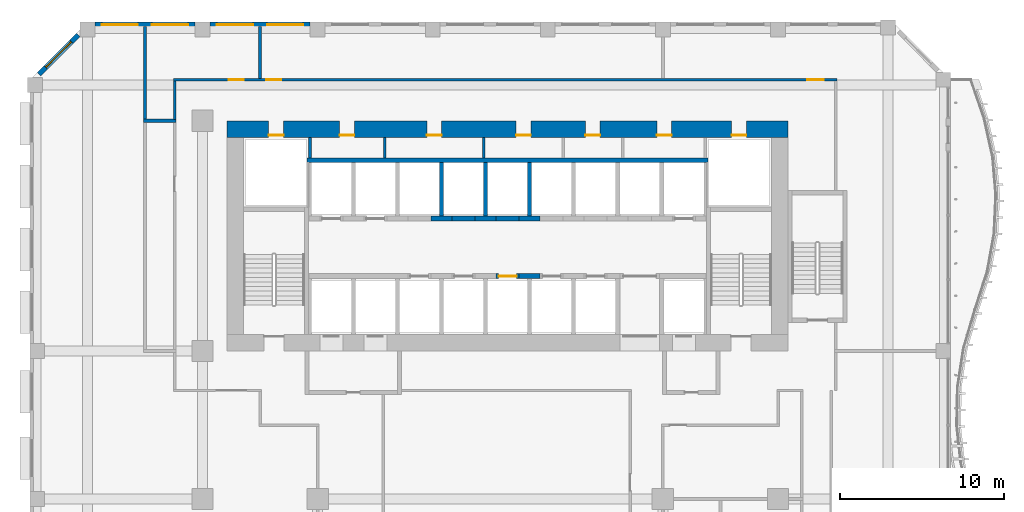
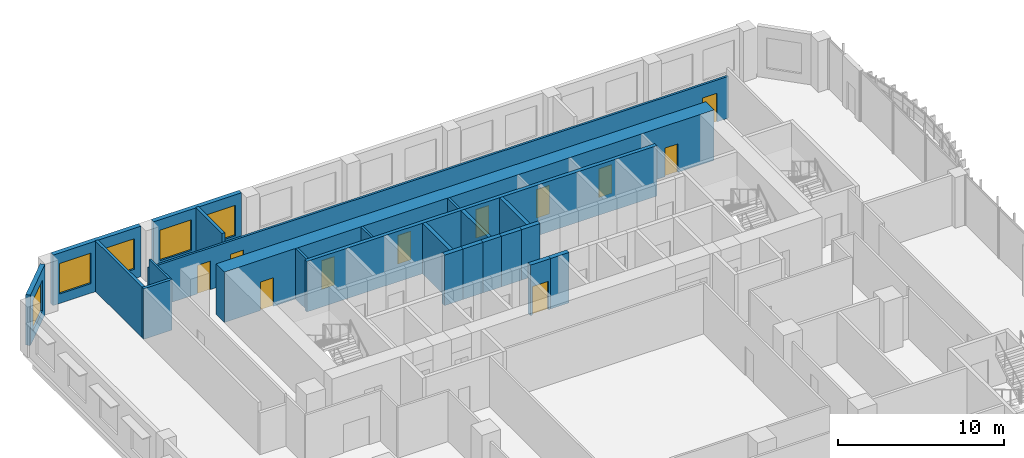
# One storey, part 13 of 24: 23 walls, 11 doors, 5 windows, 16 openings.
"""IFC4 building model written with IfcOpenShell, lengths in metres."""

import ifcopenshell
import ifcopenshell.guid

model = None  # the IFC model being written
_history = None  # IfcOwnerHistory: only IFC2X3 demands one
_inside = {}  # id of a spatial element -> (the spatial element, [elements in it])
_under = {}  # id of a project, library or spatial element -> (it, [spatial elements below it])
_declared = {}  # id of a project -> (the project, [libraries it declares])
_typed = {}  # id of a type object -> (the type object, [elements of that type])
_made_of = {}  # id of a material, layer set ... -> (it, [elements and type objects made of it])


def new_model(schema):
    """Start an empty IFC model of exactly this schema.

    Asked for "IFC4X3", IfcOpenShell would pick the latest addendum, in which some entities
    have other attributes; the version numbers below select the first issue.
    IFC2X3 requires an IfcOwnerHistory on every rooted entity: one is made here for all.
    """
    global model, _history
    if schema == "IFC4X3":
        model = ifcopenshell.file(schema_version=(4, 3, 0, 0))
    else:
        model = ifcopenshell.file(schema=schema)
    _inside.clear()
    _under.clear()
    _declared.clear()
    _typed.clear()
    _made_of.clear()
    _history = None
    if model.schema == "IFC2X3":
        org = make("IfcOrganization", Name="unknown")
        user = make(
            "IfcPersonAndOrganization",
            ThePerson=make("IfcPerson", FamilyName="unknown"),
            TheOrganization=org,
        )
        app = make(
            "IfcApplication",
            ApplicationDeveloper=org,
            Version="unknown",
            ApplicationFullName="unknown",
            ApplicationIdentifier="unknown",
        )
        _history = make(
            "IfcOwnerHistory",
            OwningUser=user,
            OwningApplication=app,
            ChangeAction="ADDED",
            CreationDate=0,
        )
    return model


def make(cls, **values):
    """One entity of the class cls with the attributes given. An attribute that is None is left unset."""
    return model.create_entity(
        cls, **{name: value for name, value in values.items() if value is not None}
    )


def rooted(cls, **values):
    """An entity with a GlobalId (a new one), such as an element, a storey or a relation."""
    return make(cls, GlobalId=ifcopenshell.guid.new(), OwnerHistory=_history, **values)


def si_unit(unit_type, name, prefix=None):
    """IfcSIUnit, for example si_unit("LENGTHUNIT", "METRE", prefix="MILLI")."""
    return make("IfcSIUnit", UnitType=unit_type, Prefix=prefix, Name=name)


def assignment(units):
    """IfcUnitAssignment: the units of a project."""
    return None if units is None else make("IfcUnitAssignment", Units=units)


def point(xyz):
    """IfcCartesianPoint."""
    return None if xyz is None else make("IfcCartesianPoint", Coordinates=xyz)


def direction(xyz):
    """IfcDirection."""
    return None if xyz is None else make("IfcDirection", DirectionRatios=xyz)


def frame(location, z_axis=None, x_axis=None):
    """IfcAxis2Placement3D, a coordinate frame: its origin and axes. An axis left out is left unset."""
    return make(
        "IfcAxis2Placement3D",
        Location=point(location),
        Axis=direction(z_axis),
        RefDirection=direction(x_axis),
    )


def frame_2d(location, x_axis=None):
    """IfcAxis2Placement2D, a coordinate frame in the plane: its origin and x axis."""
    return make(
        "IfcAxis2Placement2D", Location=point(location), RefDirection=direction(x_axis)
    )


def origin():
    """The frame at (0, 0, 0) with its axes left unset."""
    return frame((0.0, 0.0, 0.0))


def place(relative_to, where):
    """IfcLocalPlacement: puts the frame where relative to a parent placement (None: the world)."""
    return make(
        "IfcLocalPlacement", PlacementRelTo=relative_to, RelativePlacement=where
    )


def context(
    kind, dimensions, precision=None, world=None, true_north=None, identifier=None
):
    """IfcGeometricRepresentationContext, for example the 3D "Model" context."""
    return make(
        "IfcGeometricRepresentationContext",
        ContextIdentifier=identifier,
        ContextType=kind,
        CoordinateSpaceDimension=dimensions,
        Precision=precision,
        WorldCoordinateSystem=world,
        TrueNorth=true_north,
    )


def subcontext(parent, identifier, kind, view, scale=None):
    """IfcGeometricRepresentationSubContext, for example "Body" below "Model"."""
    return make(
        "IfcGeometricRepresentationSubContext",
        ContextIdentifier=identifier,
        ContextType=kind,
        ParentContext=parent,
        TargetScale=scale,
        TargetView=view,
    )


def project(units=None, contexts=None):
    """IfcProject with its units and contexts."""
    return rooted(
        "IfcProject",
        Name="project",
        RepresentationContexts=contexts,
        UnitsInContext=assignment(units),
    )


def spatial(cls, under=None, at=None, **own):
    """A site, building, storey or space (cls), placed at a placement, below another one or the project."""
    s = rooted(cls, ObjectPlacement=at, **own)
    if under is not None:
        _under.setdefault(under.id(), (under, []))[1].append(s)
    return s


def profile(cls, at=None, kind="AREA", **sizes):
    """A parametric profile (cls). Its sizes go by their IFC names, for example OverallWidth=200.0."""
    return make(cls, ProfileType=kind, Position=at, **sizes)


def rectangle(**sizes):
    """IfcRectangleProfileDef."""
    return profile("IfcRectangleProfileDef", **sizes)


def extrude(swept, where, along, depth):
    """IfcExtrudedAreaSolid: the profile swept, set in the frame where, extruded along a direction by depth."""
    return make(
        "IfcExtrudedAreaSolid",
        SweptArea=swept,
        Position=where,
        ExtrudedDirection=direction(along),
        Depth=depth,
    )


def shape(context_of_items, identifier, shape_type, items):
    """IfcShapeRepresentation: the items that make up one representation, for example the "Body"."""
    return make(
        "IfcShapeRepresentation",
        ContextOfItems=context_of_items,
        RepresentationIdentifier=identifier,
        RepresentationType=shape_type,
        Items=items,
    )


def source(mapping_origin, context_of_items, identifier, shape_type, items):
    """IfcRepresentationMap: a shape defined once, which mapped items show again and again."""
    return make(
        "IfcRepresentationMap",
        MappingOrigin=mapping_origin,
        MappedRepresentation=shape(context_of_items, identifier, shape_type, items),
    )


def transform(
    local_origin,
    x_axis=None,
    y_axis=None,
    z_axis=None,
    scale=None,
    scale2=None,
    scale3=None,
    uniform=True,
):
    """IfcCartesianTransformationOperator3D, or its non-uniform kind. x_axis, y_axis, z_axis: its Axis1, 2, 3."""
    if uniform:
        return make(
            "IfcCartesianTransformationOperator3D",
            Axis1=direction(x_axis),
            Axis2=direction(y_axis),
            LocalOrigin=point(local_origin),
            Scale=scale,
            Axis3=direction(z_axis),
        )
    return make(
        "IfcCartesianTransformationOperator3DnonUniform",
        Axis1=direction(x_axis),
        Axis2=direction(y_axis),
        LocalOrigin=point(local_origin),
        Scale=scale,
        Axis3=direction(z_axis),
        Scale2=scale2,
        Scale3=scale3,
    )


def mapped(mapping_source, mapping_target):
    """IfcMappedItem: shows the shape of a source again, moved by a transform."""
    return make(
        "IfcMappedItem", MappingSource=mapping_source, MappingTarget=mapping_target
    )


def material(Name=None, Category=None):
    """IfcMaterial."""
    return make("IfcMaterial", Name=Name, Category=Category)


def layer(
    of_material, thickness, ventilated=None, Name=None, Category=None, Priority=None
):
    """IfcMaterialLayer: one layer of a wall or slab, of a material (None: an air gap)."""
    return make(
        "IfcMaterialLayer",
        Material=of_material,
        LayerThickness=thickness,
        IsVentilated=ventilated,
        Name=Name,
        Category=Category,
        Priority=Priority,
    )


def layer_set(layers, Name=None):
    """IfcMaterialLayerSet."""
    return make("IfcMaterialLayerSet", MaterialLayers=layers, LayerSetName=Name)


def made_of(thing, what):
    """Note that an element or type object is made of a material, layer set ...; save() writes the relation."""
    if what is not None:
        _made_of.setdefault(what.id(), (what, []))[1].append(thing)
    return thing


def type_object(cls, material=None, **own):
    """A type object (cls), such as IfcWallType, which elements share."""
    return made_of(rooted(cls, **own), material)


def element(
    cls,
    number,
    at=None,
    inside=None,
    cuts=None,
    type_object=None,
    material=None,
    context=None,
    identifier="Body",
    shape_type=None,
    held_by="IfcProductDefinitionShape",
    body=None,
    shapes=None,
    **own,
):
    """One element of the class cls, such as IfcWall. Its Tag is "e" and its number.

    at: its placement. inside: the storey or other place that contains it. cuts: it is an
    opening in that element (IfcRelVoidsElement). A single representation is given by context,
    identifier, shape_type and body (its items); several are given by shapes. held_by: the class
    of the entity that holds the representations. save() writes the other relations.
    """
    e = rooted(cls, Tag="e%d" % number, ObjectPlacement=at, **own)
    if body is not None:
        shapes = [shape(context, identifier, shape_type, body)]
    if shapes is not None:
        e.Representation = make(held_by, Representations=shapes)
    if inside is not None:
        _inside.setdefault(inside.id(), (inside, []))[1].append(e)
    if cuts is not None:
        rooted(
            "IfcRelVoidsElement", RelatingBuildingElement=cuts, RelatedOpeningElement=e
        )
    if type_object is not None:
        _typed.setdefault(type_object.id(), (type_object, []))[1].append(e)
    return made_of(e, material)


def fill(opening, filler):
    """IfcRelFillsElement: the door or window that sits in an opening."""
    return rooted(
        "IfcRelFillsElement",
        RelatingOpeningElement=opening,
        RelatedBuildingElement=filler,
    )


def aggregate(whole, parts):
    """IfcRelAggregates: a whole, such as a stair, and the parts it consists of."""
    return rooted("IfcRelAggregates", RelatingObject=whole, RelatedObjects=parts)


def save(model, path):
    """Write the relations noted so far, then the file.

    IfcRelAggregates (storeys below a building ...), IfcRelContainedInSpatialStructure (elements
    in a storey), IfcRelDefinesByType, IfcRelAssociatesMaterial and IfcRelDeclares: one each for
    every whole, place, type object, material and project.
    """
    for whole, parts in _under.values():
        aggregate(whole, parts)
    for where, things in _inside.values():
        rooted(
            "IfcRelContainedInSpatialStructure",
            RelatedElements=things,
            RelatingStructure=where,
        )
    for kind, things in _typed.values():
        rooted("IfcRelDefinesByType", RelatedObjects=things, RelatingType=kind)
    for what, things in _made_of.values():
        rooted("IfcRelAssociatesMaterial", RelatedObjects=things, RelatingMaterial=what)
    for by, libraries in _declared.values():
        rooted("IfcRelDeclares", RelatingContext=by, RelatedDefinitions=libraries)
    model.write(path)


model = new_model("IFC4")

# Units and contexts
model_context = context("Model", 3, precision=1e-05, world=origin(), true_north=direction((0.0, 1.0)))
body_context = subcontext(model_context, "Body", "Model", "MODEL_VIEW")
ifc_project = project(units=[si_unit("LENGTHUNIT", "METRE"), si_unit("AREAUNIT", "SQUARE_METRE"), si_unit("VOLUMEUNIT", "CUBIC_METRE"), si_unit("PLANEANGLEUNIT", "RADIAN"), si_unit("MASSUNIT", "GRAM", prefix="KILO")], contexts=[model_context])

# Site, building, storey
site_placement = place(None, origin())
site = spatial("IfcSite", under=ifc_project, at=site_placement, CompositionType="ELEMENT")
building_placement = place(site_placement, origin())
building = spatial("IfcBuilding", under=site, at=building_placement, Name="Kilnfold Tower and Market Hall", CompositionType="ELEMENT")
storey_placement = place(building_placement, frame((0.0, 0.0, 35.0)))
storey = spatial("IfcBuildingStorey", under=building, at=storey_placement, Name="L07", CompositionType="ELEMENT", Elevation=35.0)

# Wall
ifc_material_1 = material(Name="Gypsum board on steel studs", Category="steel")
ifc_layer_1 = layer(ifc_material_1, 0.14990234375)
ifc_layer_set_1 = layer_set([ifc_layer_1], Name="Gypsum board on steel studs")
wall_type_1 = type_object("IfcWallType", Name="WALL CORRIDOR 150", PredefinedType="PARTITIONING", material=ifc_layer_set_1)
wall_1_placement = place(storey_placement, frame((-19.199951171875, 22.090087890625, 0.0), z_axis=(0.0, 0.0, 1.0), x_axis=(0.0, 1.0, 0.0)))
element("IfcWall", 1, at=wall_1_placement, inside=storey, type_object=wall_type_1, Name="Partition LY07.32", PredefinedType="PARTITIONING", context=body_context, shape_type="SweptSolid", body=[
    extrude(rectangle(XDim=2.3349609375, YDim=0.14990234375, at=frame_2d((1.16748046875, 0.0))), origin(), (0.0, 0.0, 1.0), 3.719970703125),
])

# Wall, openings, doors
wall_2_placement = place(storey_placement, frame((-19.27490234375, 24.5, 0.0), z_axis=(0.0, 0.0, 1.0), x_axis=(1.0, 0.0, 0.0)))
wall_2 = element("IfcWall", 2, at=wall_2_placement, inside=storey, type_object=wall_type_1, Name="Partition LY07.33", PredefinedType="PARTITIONING", context=body_context, shape_type="SweptSolid", body=[
    extrude(rectangle(XDim=40.349853515625, YDim=0.14990234375, at=frame_2d((20.1748046875, 0.0))), origin(), (0.0, 0.0, 1.0), 3.070068359375),
])
opening_1_placement = place(wall_2_placement, frame((3.367919921875, 0.0, 0.0)))
opening_1 = element("IfcOpeningElement", 3, at=opening_1_placement, cuts=wall_2, Name="Opening D3", PredefinedType="OPENING", context=body_context, shape_type="SweptSolid", body=[
    extrude(rectangle(XDim=0.89990234375, YDim=2.10009765625, at=frame_2d((0.449951171875, 1.050048828125))), frame((0.0, 0.0849609375, 0.0), z_axis=(0.0, -1.0, 0.0), x_axis=(1.0, 0.0, 0.0)), (0.0, 0.0, 1.0), 0.169921875),
])
opening_2_placement = place(wall_2_placement, frame((5.6650390625, 0.0, 0.0)))
opening_2 = element("IfcOpeningElement", 4, at=opening_2_placement, cuts=wall_2, Name="Opening D2", PredefinedType="OPENING", context=body_context, shape_type="SweptSolid", body=[
    extrude(rectangle(XDim=0.89990234375, YDim=2.10009765625, at=frame_2d((0.449951171875, 1.050048828125))), frame((0.0, 0.0849609375, 0.0), z_axis=(0.0, -1.0, 0.0), x_axis=(1.0, 0.0, 0.0)), (0.0, 0.0, 1.0), 0.169921875),
])
opening_3_placement = place(wall_2_placement, frame((38.5439453125, 0.0, 0.0)))
opening_3 = element("IfcOpeningElement", 5, at=opening_3_placement, cuts=wall_2, Name="Opening D1", PredefinedType="OPENING", context=body_context, shape_type="SweptSolid", body=[
    extrude(rectangle(XDim=1.0, YDim=2.10009765625, at=frame_2d((0.5, 1.050048828125))), frame((0.0, 0.0849609375, 0.0), z_axis=(0.0, -1.0, 0.0), x_axis=(1.0, 0.0, 0.0)), (0.0, 0.0, 1.0), 0.169921875),
])
ifc_material_2 = material(Name="Timber veneer door leaf in steel frame", Category="steel")
door_type_1 = type_object("IfcDoorType", Name="DOOR ENTRY 1000 X2100", OperationType="NOTDEFINED", PredefinedType="DOOR", material=ifc_material_2)
door_1_placement = place(opening_3_placement, origin())
door_1 = element("IfcDoor", 6, at=door_1_placement, inside=storey, type_object=door_type_1, Name="Door D1", OperationType="SINGLE_SWING_LEFT", OverallHeight=2.10009765625, OverallWidth=1.0, PredefinedType="DOOR", context=body_context, shape_type="SweptSolid", body=[
    extrude(rectangle(XDim=1.0, YDim=2.10009765625, at=frame_2d((0.5, 1.050048828125))), frame((0.0, 0.02490234375, 0.0), z_axis=(0.0, -1.0, 0.0), x_axis=(1.0, 0.0, 0.0)), (0.0, 0.0, 1.0), 0.050048828125),
])
fill(opening_3, door_1)
ifc_material_3 = material(Name="Timber veneer door leaf in steel frame", Category="steel")
door_type_2 = type_object("IfcDoorType", Name="DOOR ROOM 900 X2100", OperationType="NOTDEFINED", PredefinedType="DOOR", material=ifc_material_3)
door_2_placement = place(opening_2_placement, origin())
door_2 = element("IfcDoor", 7, at=door_2_placement, inside=storey, type_object=door_type_2, Name="Door D2", OperationType="SINGLE_SWING_LEFT", OverallHeight=2.10009765625, OverallWidth=0.89990234375, PredefinedType="DOOR", context=body_context, shape_type="SweptSolid", body=[
    extrude(rectangle(XDim=0.89990234375, YDim=2.10009765625, at=frame_2d((0.449951171875, 1.050048828125))), frame((0.0, 0.02490234375, 0.0), z_axis=(0.0, -1.0, 0.0), x_axis=(1.0, 0.0, 0.0)), (0.0, 0.0, 1.0), 0.050048828125),
])
fill(opening_2, door_2)
ifc_material_4 = material(Name="Timber veneer door leaf in steel frame", Category="steel")
door_type_3 = type_object("IfcDoorType", Name="DOOR WC 900 X2100", OperationType="NOTDEFINED", PredefinedType="DOOR", material=ifc_material_4)
door_3_placement = place(opening_1_placement, origin())
door_3 = element("IfcDoor", 8, at=door_3_placement, inside=storey, type_object=door_type_3, Name="Door D3", OperationType="SINGLE_SWING_LEFT", OverallHeight=2.10009765625, OverallWidth=0.89990234375, PredefinedType="DOOR", context=body_context, shape_type="SweptSolid", body=[
    extrude(rectangle(XDim=0.89990234375, YDim=2.10009765625, at=frame_2d((0.449951171875, 1.050048828125))), frame((0.0, 0.02490234375, 0.0), z_axis=(0.0, -1.0, 0.0), x_axis=(1.0, 0.0, 0.0)), (0.0, 0.0, 1.0), 0.050048828125),
])
fill(opening_1, door_3)

# Walls
ifc_material_5 = material(Name="Gypsum board on steel studs", Category="steel")
ifc_layer_2 = layer(ifc_material_5, 0.199951171875)
ifc_layer_set_2 = layer_set([ifc_layer_2], Name="Gypsum board on steel studs")
wall_type_2 = type_object("IfcWallType", Name="WALL PARTY 200", PredefinedType="PARTITIONING", material=ifc_layer_set_2)
wall_3_placement = place(storey_placement, frame((-21.0, 22.090087890625, 0.0), z_axis=(0.0, 0.0, 1.0), x_axis=(0.0, 1.0, 0.0)))
element("IfcWall", 9, at=wall_3_placement, inside=storey, type_object=wall_type_2, Name="Partition LY07.44", PredefinedType="PARTITIONING", context=body_context, shape_type="SweptSolid", body=[
    extrude(rectangle(XDim=5.659912109375, YDim=0.199951171875, at=frame_2d((2.830078125, 0.0))), origin(), (0.0, 0.0, 1.0), 3.719970703125),
])
wall_4_placement = place(storey_placement, frame((-14.0, 24.575927734375, 0.0), z_axis=(0.0, 0.0, 1.0), x_axis=(0.0, 1.0, 0.0)))
element("IfcWall", 10, at=wall_4_placement, inside=storey, type_object=wall_type_2, Name="Partition LY07.64", PredefinedType="PARTITIONING", context=body_context, shape_type="SweptSolid", body=[
    extrude(rectangle(XDim=3.174072265625, YDim=0.199951171875, at=frame_2d((1.5869140625, 0.0))), origin(), (0.0, 0.0, 1.0), 3.719970703125),
])
wall_5_placement = place(storey_placement, frame((-21.10009765625, 22.0, 0.0), z_axis=(0.0, 0.0, 1.0), x_axis=(1.0, 0.0, 0.0)))
element("IfcWall", 11, at=wall_5_placement, inside=storey, type_object=wall_type_2, Name="Partition LY07.65", PredefinedType="PARTITIONING", context=body_context, shape_type="SweptSolid", body=[
    extrude(rectangle(XDim=1.97412109375, YDim=0.199951171875, at=frame_2d((0.987060546875, 0.0))), origin(), (0.0, 0.0, 1.0), 3.719970703125),
])

# Wall, openings, doors
ifc_material_6 = material(Name="Concrete C80", Category="concrete")
ifc_layer_3 = layer(ifc_material_6, 1.0)
ifc_layer_set_3 = layer_set([ifc_layer_3], Name="Concrete C80")
wall_type_3 = type_object("IfcWallType", Name="CORE WALL 1000 C80", PredefinedType="SHEAR", material=ifc_layer_set_3)
shared_shape_1 = source(origin(), body_context, "Body", "SweptSolid", [
    extrude(rectangle(XDim=34.10009765625, YDim=1.0, at=frame_2d((17.050048828125, 0.0))), origin(), (0.0, 0.0, 1.0), 3.719970703125),
])
wall_6_placement = place(storey_placement, frame((-16.0, 21.5, 0.0), z_axis=(0.0, 0.0, 1.0), x_axis=(1.0, 0.0, 0.0)))
wall_6 = element("IfcWall", 12, at=wall_6_placement, inside=storey, type_object=wall_type_3, Name="Core outer wall north", PredefinedType="SHEAR", context=body_context, shape_type="MappedRepresentation", body=[
    mapped(shared_shape_1, transform((0.0, 0.0, 0.0))),
])
opening_4_placement = place(wall_6_placement, frame((6.831298828125, 0.0, 0.0)))
opening_4 = element("IfcOpeningElement", 13, at=opening_4_placement, cuts=wall_6, Name="Opening KD1", PredefinedType="OPENING", context=body_context, shape_type="SweptSolid", body=[
    extrude(rectangle(XDim=0.89990234375, YDim=2.10009765625, at=frame_2d((0.449951171875, 1.050048828125))), frame((0.0, 0.510009765625, 0.0), z_axis=(0.0, -1.0, 0.0), x_axis=(1.0, 0.0, 0.0)), (0.0, 0.0, 1.0), 1.02001953125),
])
opening_5_placement = place(wall_6_placement, frame((12.1376953125, 0.0, 0.0)))
opening_5 = element("IfcOpeningElement", 14, at=opening_5_placement, cuts=wall_6, Name="Opening KD1", PredefinedType="OPENING", context=body_context, shape_type="SweptSolid", body=[
    extrude(rectangle(XDim=0.89990234375, YDim=2.10009765625, at=frame_2d((0.449951171875, 1.050048828125))), frame((0.0, 0.510009765625, 0.0), z_axis=(0.0, -1.0, 0.0), x_axis=(1.0, 0.0, 0.0)), (0.0, 0.0, 1.0), 1.02001953125),
])
opening_6_placement = place(wall_6_placement, frame((17.564697265625, 0.0, 0.0)))
opening_6 = element("IfcOpeningElement", 15, at=opening_6_placement, cuts=wall_6, Name="Opening KD1", PredefinedType="OPENING", context=body_context, shape_type="SweptSolid", body=[
    extrude(rectangle(XDim=0.89990234375, YDim=2.10009765625, at=frame_2d((0.449951171875, 1.050048828125))), frame((0.0, 0.510009765625, 0.0), z_axis=(0.0, -1.0, 0.0), x_axis=(1.0, 0.0, 0.0)), (0.0, 0.0, 1.0), 1.02001953125),
])
opening_7_placement = place(wall_6_placement, frame((21.785888671875, 0.0, 0.0)))
opening_7 = element("IfcOpeningElement", 16, at=opening_7_placement, cuts=wall_6, Name="Opening KD1", PredefinedType="OPENING", context=body_context, shape_type="SweptSolid", body=[
    extrude(rectangle(XDim=0.89990234375, YDim=2.10009765625, at=frame_2d((0.449951171875, 1.050048828125))), frame((0.0, 0.510009765625, 0.0), z_axis=(0.0, -1.0, 0.0), x_axis=(1.0, 0.0, 0.0)), (0.0, 0.0, 1.0), 1.02001953125),
])
opening_8_placement = place(wall_6_placement, frame((26.12744140625, 0.0, 0.0)))
opening_8 = element("IfcOpeningElement", 17, at=opening_8_placement, cuts=wall_6, Name="Opening KD1", PredefinedType="OPENING", context=body_context, shape_type="SweptSolid", body=[
    extrude(rectangle(XDim=0.89990234375, YDim=2.10009765625, at=frame_2d((0.449951171875, 1.050048828125))), frame((0.0, 0.510009765625, 0.0), z_axis=(0.0, -1.0, 0.0), x_axis=(1.0, 0.0, 0.0)), (0.0, 0.0, 1.0), 1.02001953125),
])
opening_9_placement = place(wall_6_placement, frame((2.52490234375, 0.0, 0.0)))
opening_9 = element("IfcOpeningElement", 18, at=opening_9_placement, cuts=wall_6, Name="Opening KD1", PredefinedType="OPENING", context=body_context, shape_type="SweptSolid", body=[
    extrude(rectangle(XDim=0.89990234375, YDim=2.10009765625, at=frame_2d((0.449951171875, 1.050048828125))), frame((0.0, 0.510009765625, 0.0), z_axis=(0.0, -1.0, 0.0), x_axis=(1.0, 0.0, 0.0)), (0.0, 0.0, 1.0), 1.02001953125),
])
opening_10_placement = place(wall_6_placement, frame((30.675048828125, 0.0, 0.0)))
opening_10 = element("IfcOpeningElement", 19, at=opening_10_placement, cuts=wall_6, Name="Opening KD1", PredefinedType="OPENING", context=body_context, shape_type="SweptSolid", body=[
    extrude(rectangle(XDim=0.89990234375, YDim=2.10009765625, at=frame_2d((0.449951171875, 1.050048828125))), frame((0.0, 0.510009765625, 0.0), z_axis=(0.0, -1.0, 0.0), x_axis=(1.0, 0.0, 0.0)), (0.0, 0.0, 1.0), 1.02001953125),
])
ifc_material_7 = material(Name="Steel door set with fire-resisting leaf", Category="steel")
door_type_4 = type_object("IfcDoorType", Name="SERVICE DOOR 900X2100", OperationType="NOTDEFINED", PredefinedType="DOOR", material=ifc_material_7)
door_4_placement = place(opening_4_placement, origin())
door_4 = element("IfcDoor", 20, at=door_4_placement, inside=storey, type_object=door_type_4, Name="Core service door", OperationType="SINGLE_SWING_RIGHT", OverallHeight=2.10009765625, OverallWidth=0.89990234375, PredefinedType="DOOR", context=body_context, shape_type="SweptSolid", body=[
    extrude(rectangle(XDim=0.89990234375, YDim=2.10009765625, at=frame_2d((0.449951171875, 1.050048828125))), frame((0.0, -0.35498046875, 0.0), z_axis=(0.0, -1.0, 0.0), x_axis=(1.0, 0.0, 0.0)), (0.0, 0.0, 1.0), 0.050048828125),
])
fill(opening_4, door_4)
door_5_placement = place(opening_5_placement, origin())
door_5 = element("IfcDoor", 21, at=door_5_placement, inside=storey, type_object=door_type_4, Name="Core service door", OperationType="SINGLE_SWING_LEFT", OverallHeight=2.10009765625, OverallWidth=0.89990234375, PredefinedType="DOOR", context=body_context, shape_type="SweptSolid", body=[
    extrude(rectangle(XDim=0.89990234375, YDim=2.10009765625, at=frame_2d((0.449951171875, 1.050048828125))), frame((0.0, -0.35498046875, 0.0), z_axis=(0.0, -1.0, 0.0), x_axis=(1.0, 0.0, 0.0)), (0.0, 0.0, 1.0), 0.050048828125),
])
fill(opening_5, door_5)
door_6_placement = place(opening_6_placement, origin())
door_6 = element("IfcDoor", 22, at=door_6_placement, inside=storey, type_object=door_type_4, Name="Core service door", OperationType="SINGLE_SWING_RIGHT", OverallHeight=2.10009765625, OverallWidth=0.89990234375, PredefinedType="DOOR", context=body_context, shape_type="SweptSolid", body=[
    extrude(rectangle(XDim=0.89990234375, YDim=2.10009765625, at=frame_2d((0.449951171875, 1.050048828125))), frame((0.0, -0.35498046875, 0.0), z_axis=(0.0, -1.0, 0.0), x_axis=(1.0, 0.0, 0.0)), (0.0, 0.0, 1.0), 0.050048828125),
])
fill(opening_6, door_6)
door_7_placement = place(opening_7_placement, origin())
door_7 = element("IfcDoor", 23, at=door_7_placement, inside=storey, type_object=door_type_4, Name="Core service door", OperationType="SINGLE_SWING_LEFT", OverallHeight=2.10009765625, OverallWidth=0.89990234375, PredefinedType="DOOR", context=body_context, shape_type="SweptSolid", body=[
    extrude(rectangle(XDim=0.89990234375, YDim=2.10009765625, at=frame_2d((0.449951171875, 1.050048828125))), frame((0.0, -0.35498046875, 0.0), z_axis=(0.0, -1.0, 0.0), x_axis=(1.0, 0.0, 0.0)), (0.0, 0.0, 1.0), 0.050048828125),
])
fill(opening_7, door_7)
door_8_placement = place(opening_8_placement, origin())
door_8 = element("IfcDoor", 24, at=door_8_placement, inside=storey, type_object=door_type_4, Name="Core service door", OperationType="SINGLE_SWING_RIGHT", OverallHeight=2.10009765625, OverallWidth=0.89990234375, PredefinedType="DOOR", context=body_context, shape_type="SweptSolid", body=[
    extrude(rectangle(XDim=0.89990234375, YDim=2.10009765625, at=frame_2d((0.449951171875, 1.050048828125))), frame((0.0, -0.35498046875, 0.0), z_axis=(0.0, -1.0, 0.0), x_axis=(1.0, 0.0, 0.0)), (0.0, 0.0, 1.0), 0.050048828125),
])
fill(opening_8, door_8)
door_9_placement = place(opening_9_placement, origin())
door_9 = element("IfcDoor", 25, at=door_9_placement, inside=storey, type_object=door_type_4, Name="Electrical riser access door", OperationType="SINGLE_SWING_LEFT", OverallHeight=2.10009765625, OverallWidth=0.89990234375, PredefinedType="DOOR", context=body_context, shape_type="SweptSolid", body=[
    extrude(rectangle(XDim=0.89990234375, YDim=2.10009765625, at=frame_2d((0.449951171875, 1.050048828125))), frame((0.0, -0.35498046875, 0.0), z_axis=(0.0, -1.0, 0.0), x_axis=(1.0, 0.0, 0.0)), (0.0, 0.0, 1.0), 0.050048828125),
])
fill(opening_9, door_9)
door_10_placement = place(opening_10_placement, origin())
door_10 = element("IfcDoor", 26, at=door_10_placement, inside=storey, type_object=door_type_4, Name="Mechanical riser access door", OperationType="SINGLE_SWING_RIGHT", OverallHeight=2.10009765625, OverallWidth=0.89990234375, PredefinedType="DOOR", context=body_context, shape_type="SweptSolid", body=[
    extrude(rectangle(XDim=0.89990234375, YDim=2.10009765625, at=frame_2d((0.449951171875, 1.050048828125))), frame((0.0, -0.35498046875, 0.0), z_axis=(0.0, -1.0, 0.0), x_axis=(1.0, 0.0, 0.0)), (0.0, 0.0, 1.0), 0.050048828125),
])
fill(opening_10, door_10)

# Walls
ifc_material_8 = material(Name="Concrete C80", Category="concrete")
ifc_layer_4 = layer(ifc_material_8, 0.300048828125)
ifc_layer_set_4 = layer_set([ifc_layer_4], Name="Concrete C80")
wall_type_4 = type_object("IfcWallType", Name="CORE WALL 300 C80", PredefinedType="SHEAR", material=ifc_layer_set_4)
shared_shape_2 = source(origin(), body_context, "Body", "SweptSolid", [
    extrude(rectangle(XDim=1.280029296875, YDim=0.300048828125, at=frame_2d((0.64013671875, 0.0))), origin(), (0.0, 0.0, 1.0), 3.719970703125),
])
for number, where, z_axis, x_axis, name in (
    (27, (1.75, 12.550048828125, 0.0), (0.0, 0.0, 1.0), (1.0, 0.0, 0.0), "Core spine wall"),
    (28, (-3.610107421875, 16.050048828125, 0.0), (0.0, 0.0, 1.0), (1.0, 0.0, 0.0), "Core spine wall"),
    (29, (-0.929931640625, 16.050048828125, 0.0), (0.0, 0.0, 1.0), (1.0, 0.0, 0.0), "Core spine wall"),
    (30, (1.75, 16.050048828125, 0.0), (0.0, 0.0, 1.0), (1.0, 0.0, 0.0), "Core spine wall"),
):
    element("IfcWall", number, at=place(storey_placement, frame(where, z_axis=z_axis, x_axis=x_axis)), inside=storey, type_object=wall_type_4, Name=name, PredefinedType="SHEAR", context=body_context, shape_type="MappedRepresentation", body=[
        mapped(shared_shape_2, transform((0.0, 0.0, 0.0))),
    ])

# Wall, opening, window
ifc_material_9 = material(Name="Precast concrete C50/60", Category="concrete")
ifc_layer_5 = layer(ifc_material_9, 0.300048828125)
ifc_layer_set_5 = layer_set([ifc_layer_5], Name="Precast concrete C50/60")
wall_type_5 = type_object("IfcWallType", Name="PRECAST WALL 300", PredefinedType="SOLIDWALL", material=ifc_layer_set_5)
shared_shape_3 = source(origin(), body_context, "Body", "SweptSolid", [
    extrude(rectangle(XDim=3.35888671875, YDim=0.300048828125, at=frame_2d((1.679443359375, 0.0))), origin(), (0.0, 0.0, 1.0), 3.719970703125),
])
wall_7_placement = place(storey_placement, frame((-25.06884765625, 27.218994140625, 0.0), z_axis=(0.0, 0.0, 1.0), x_axis=(-0.707143122278, -0.707070438228, 0.0)))
wall_7 = element("IfcWall", 31, at=wall_7_placement, inside=storey, type_object=wall_type_5, Name="External wall L07 NW", PredefinedType="SOLIDWALL", context=body_context, shape_type="MappedRepresentation", body=[
    mapped(shared_shape_3, transform((0.0, 0.0, 0.0))),
])
opening_11_placement = place(wall_7_placement, frame((0.579345703125, 0.0, 0.699951171875)))
opening_11 = element("IfcOpeningElement", 32, at=opening_11_placement, cuts=wall_7, Name="Opening W1", PredefinedType="OPENING", context=body_context, shape_type="SweptSolid", body=[
    extrude(rectangle(XDim=2.199951171875, YDim=2.25, at=frame_2d((1.10009765625, 1.125))), frame((0.0, 0.16015625, 0.0), z_axis=(0.0, -1.0, 0.0), x_axis=(1.0, 0.0, 0.0)), (0.0, 0.0, 1.0), 0.320068359375),
])
ifc_material_10 = material(Name="Aluminium frame and double glazing", Category="aluminium")
window_type = type_object("IfcWindowType", Name="WINDOW W1 2200X2250", PartitioningType="SINGLE_PANEL", PredefinedType="WINDOW", material=ifc_material_10)
window_1_placement = place(opening_11_placement, origin())
window_1 = element("IfcWindow", 33, at=window_1_placement, inside=storey, type_object=window_type, Name="Window W1 L07 NW-1", OverallHeight=2.25, OverallWidth=2.199951171875, PartitioningType="SINGLE_PANEL", PredefinedType="WINDOW", context=body_context, shape_type="SweptSolid", body=[
    extrude(rectangle(XDim=2.199951171875, YDim=2.25, at=frame_2d((1.10009765625, 1.125))), frame((0.0, 0.030029296875, 0.0), z_axis=(0.0, -1.0, 0.0), x_axis=(1.0, 0.0, 0.0)), (0.0, 0.0, 1.0), 0.06005859375),
])
fill(opening_11, window_1)

# Wall, openings, windows
shared_shape_4 = source(origin(), body_context, "Body", "SweptSolid", [
    extrude(rectangle(XDim=6.10009765625, YDim=0.300048828125, at=frame_2d((3.050048828125, 0.0))), origin(), (0.0, 0.0, 1.0), 3.719970703125),
])
wall_8_placement = place(storey_placement, frame((-10.949951171875, 27.85009765625, 0.0), z_axis=(0.0, 0.0, 1.0), x_axis=(-1.0, 0.0, 0.0)))
wall_8 = element("IfcWall", 34, at=wall_8_placement, inside=storey, type_object=wall_type_5, Name="External wall L07 N", PredefinedType="SOLIDWALL", context=body_context, shape_type="MappedRepresentation", body=[
    mapped(shared_shape_4, transform((0.0, 0.0, 0.0))),
])
opening_12_placement = place(wall_8_placement, frame((0.425048828125, 0.0, 0.699951171875)))
opening_12 = element("IfcOpeningElement", 35, at=opening_12_placement, cuts=wall_8, Name="Opening W1", PredefinedType="OPENING", context=body_context, shape_type="SweptSolid", body=[
    extrude(rectangle(XDim=2.199951171875, YDim=2.25, at=frame_2d((1.10009765625, 1.125))), frame((0.0, 0.16015625, 0.0), z_axis=(0.0, -1.0, 0.0), x_axis=(1.0, 0.0, 0.0)), (0.0, 0.0, 1.0), 0.320068359375),
])
opening_13_placement = place(wall_8_placement, frame((3.47509765625, 0.0, 0.699951171875)))
opening_13 = element("IfcOpeningElement", 36, at=opening_13_placement, cuts=wall_8, Name="Opening W1", PredefinedType="OPENING", context=body_context, shape_type="SweptSolid", body=[
    extrude(rectangle(XDim=2.199951171875, YDim=2.25, at=frame_2d((1.10009765625, 1.125))), frame((0.0, 0.16015625, 0.0), z_axis=(0.0, -1.0, 0.0), x_axis=(1.0, 0.0, 0.0)), (0.0, 0.0, 1.0), 0.320068359375),
])
window_2_placement = place(opening_12_placement, origin())
window_2 = element("IfcWindow", 37, at=window_2_placement, inside=storey, type_object=window_type, Name="Window W1 L07 N-1", OverallHeight=2.25, OverallWidth=2.199951171875, PartitioningType="SINGLE_PANEL", PredefinedType="WINDOW", context=body_context, shape_type="SweptSolid", body=[
    extrude(rectangle(XDim=2.199951171875, YDim=2.25, at=frame_2d((1.10009765625, 1.125))), frame((0.0, 0.030029296875, 0.0), z_axis=(0.0, -1.0, 0.0), x_axis=(1.0, 0.0, 0.0)), (0.0, 0.0, 1.0), 0.06005859375),
])
fill(opening_12, window_2)
window_3_placement = place(opening_13_placement, origin())
window_3 = element("IfcWindow", 38, at=window_3_placement, inside=storey, type_object=window_type, Name="Window W1 L07 N-2", OverallHeight=2.25, OverallWidth=2.199951171875, PartitioningType="SINGLE_PANEL", PredefinedType="WINDOW", context=body_context, shape_type="SweptSolid", body=[
    extrude(rectangle(XDim=2.199951171875, YDim=2.25, at=frame_2d((1.10009765625, 1.125))), frame((0.0, 0.030029296875, 0.0), z_axis=(0.0, -1.0, 0.0), x_axis=(1.0, 0.0, 0.0)), (0.0, 0.0, 1.0), 0.06005859375),
])
fill(opening_13, window_3)

wall_9_placement = place(storey_placement, frame((-17.949951171875, 27.85009765625, 0.0), z_axis=(0.0, 0.0, 1.0), x_axis=(-1.0, 0.0, 0.0)))
wall_9 = element("IfcWall", 39, at=wall_9_placement, inside=storey, type_object=wall_type_5, Name="External wall L07 N", PredefinedType="SOLIDWALL", context=body_context, shape_type="MappedRepresentation", body=[
    mapped(shared_shape_4, transform((0.0, 0.0, 0.0))),
])
opening_14_placement = place(wall_9_placement, frame((0.425048828125, 0.0, 0.699951171875)))
opening_14 = element("IfcOpeningElement", 40, at=opening_14_placement, cuts=wall_9, Name="Opening W1", PredefinedType="OPENING", context=body_context, shape_type="SweptSolid", body=[
    extrude(rectangle(XDim=2.199951171875, YDim=2.25, at=frame_2d((1.10009765625, 1.125))), frame((0.0, 0.16015625, 0.0), z_axis=(0.0, -1.0, 0.0), x_axis=(1.0, 0.0, 0.0)), (0.0, 0.0, 1.0), 0.320068359375),
])
opening_15_placement = place(wall_9_placement, frame((3.47509765625, 0.0, 0.699951171875)))
opening_15 = element("IfcOpeningElement", 41, at=opening_15_placement, cuts=wall_9, Name="Opening W1", PredefinedType="OPENING", context=body_context, shape_type="SweptSolid", body=[
    extrude(rectangle(XDim=2.199951171875, YDim=2.25, at=frame_2d((1.10009765625, 1.125))), frame((0.0, 0.16015625, 0.0), z_axis=(0.0, -1.0, 0.0), x_axis=(1.0, 0.0, 0.0)), (0.0, 0.0, 1.0), 0.320068359375),
])
window_4_placement = place(opening_14_placement, origin())
window_4 = element("IfcWindow", 42, at=window_4_placement, inside=storey, type_object=window_type, Name="Window W1 L07 N-1", OverallHeight=2.25, OverallWidth=2.199951171875, PartitioningType="SINGLE_PANEL", PredefinedType="WINDOW", context=body_context, shape_type="SweptSolid", body=[
    extrude(rectangle(XDim=2.199951171875, YDim=2.25, at=frame_2d((1.10009765625, 1.125))), frame((0.0, 0.030029296875, 0.0), z_axis=(0.0, -1.0, 0.0), x_axis=(1.0, 0.0, 0.0)), (0.0, 0.0, 1.0), 0.06005859375),
])
fill(opening_14, window_4)
window_5_placement = place(opening_15_placement, origin())
window_5 = element("IfcWindow", 43, at=window_5_placement, inside=storey, type_object=window_type, Name="Window W1 L07 N-2", OverallHeight=2.25, OverallWidth=2.199951171875, PartitioningType="SINGLE_PANEL", PredefinedType="WINDOW", context=body_context, shape_type="SweptSolid", body=[
    extrude(rectangle(XDim=2.199951171875, YDim=2.25, at=frame_2d((1.10009765625, 1.125))), frame((0.0, 0.030029296875, 0.0), z_axis=(0.0, -1.0, 0.0), x_axis=(1.0, 0.0, 0.0)), (0.0, 0.0, 1.0), 0.06005859375),
])
fill(opening_15, window_5)

# Wall, opening, door
ifc_material_11 = material(Name="Gypsum shaft wall system")
ifc_layer_6 = layer(ifc_material_11, 0.300048828125)
ifc_layer_set_6 = layer_set([ifc_layer_6], Name="Gypsum shaft wall system")
wall_type_6 = type_object("IfcWallType", Name="SHAFT WALL 300", PredefinedType="PARTITIONING", material=ifc_layer_set_6)
shared_shape_5 = source(origin(), body_context, "Body", "SweptSolid", [
    extrude(rectangle(XDim=1.39990234375, YDim=0.300048828125, at=frame_2d((0.699951171875, 0.0))), origin(), (0.0, 0.0, 1.0), 3.719970703125),
])
wall_10_placement = place(storey_placement, frame((0.35009765625, 12.550048828125, 0.0), z_axis=(0.0, 0.0, 1.0), x_axis=(1.0, 0.0, 0.0)))
wall_10 = element("IfcWall", 44, at=wall_10_placement, inside=storey, type_object=wall_type_6, Name="Lift shaft front wall", PredefinedType="PARTITIONING", context=body_context, shape_type="MappedRepresentation", body=[
    mapped(shared_shape_5, transform((0.0, 0.0, 0.0))),
])
opening_16_placement = place(wall_10_placement, frame((0.14990234375, 0.0, 0.0)))
opening_16 = element("IfcOpeningElement", 45, at=opening_16_placement, cuts=wall_10, Name="Opening LD2", PredefinedType="OPENING", context=body_context, shape_type="SweptSolid", body=[
    extrude(rectangle(XDim=1.10009765625, YDim=2.10009765625, at=frame_2d((0.550048828125, 1.050048828125))), frame((0.0, 0.16015625, 0.0), z_axis=(0.0, -1.0, 0.0), x_axis=(1.0, 0.0, 0.0)), (0.0, 0.0, 1.0), 0.320068359375),
])
ifc_material_12 = material(Name="Steel door set with fire-resisting leaf", Category="steel")
door_type_5 = type_object("IfcDoorType", Name="LANDING DOOR 1100X2100", OperationType="NOTDEFINED", PredefinedType="DOOR", material=ifc_material_12)
door_11_placement = place(opening_16_placement, origin())
door_11 = element("IfcDoor", 46, at=door_11_placement, inside=storey, type_object=door_type_5, Name="Landing door LR3", OperationType="DOUBLE_DOOR_SLIDING", OverallHeight=2.10009765625, OverallWidth=1.10009765625, PredefinedType="DOOR", context=body_context, shape_type="SweptSolid", body=[
    extrude(rectangle(XDim=1.10009765625, YDim=2.10009765625, at=frame_2d((0.550048828125, 1.050048828125))), frame((0.0, 0.02490234375, 0.0), z_axis=(0.0, -1.0, 0.0), x_axis=(1.0, 0.0, 0.0)), (0.0, 0.0, 1.0), 0.050048828125),
])
fill(opening_16, door_11)

# Walls
wall_11_placement = place(storey_placement, frame((0.35009765625, 16.050048828125, 0.0), z_axis=(0.0, 0.0, 1.0), x_axis=(1.0, 0.0, 0.0)))
element("IfcWall", 47, at=wall_11_placement, inside=storey, type_object=wall_type_6, Name="Lift shaft front wall", PredefinedType="PARTITIONING", context=body_context, shape_type="MappedRepresentation", body=[
    mapped(shared_shape_5, transform((0.0, 0.0, 0.0))),
])
shared_shape_6 = source(origin(), body_context, "Body", "SweptSolid", [
    extrude(rectangle(XDim=1.400146484375, YDim=0.300048828125, at=frame_2d((0.7001953125, 0.0))), origin(), (0.0, 0.0, 1.0), 3.719970703125),
])
wall_12_placement = place(storey_placement, frame((-2.330078125, 16.050048828125, 0.0), z_axis=(0.0, 0.0, 1.0), x_axis=(1.0, 0.0, 0.0)))
element("IfcWall", 48, at=wall_12_placement, inside=storey, type_object=wall_type_6, Name="Lift shaft front wall", PredefinedType="PARTITIONING", context=body_context, shape_type="MappedRepresentation", body=[
    mapped(shared_shape_6, transform((0.0, 0.0, 0.0))),
])
ifc_material_13 = material(Name="Gypsum shaft wall system")
ifc_layer_7 = layer(ifc_material_13, 0.25)
ifc_layer_set_7 = layer_set([ifc_layer_7], Name="Gypsum shaft wall system")
wall_type_7 = type_object("IfcWallType", Name="SHAFT WALL 250", PredefinedType="PARTITIONING", material=ifc_layer_set_7)
shared_shape_7 = source(origin(), body_context, "Body", "SweptSolid", [
    extrude(rectangle(XDim=24.3701171875, YDim=0.25, at=frame_2d((12.18505859375, 0.0))), origin(), (0.0, 0.0, 1.0), 3.719970703125),
])
wall_13_placement = place(storey_placement, frame((-11.135009765625, 19.60009765625, 0.0), z_axis=(0.0, 0.0, 1.0), x_axis=(1.0, 0.0, 0.0)))
element("IfcWall", 49, at=wall_13_placement, inside=storey, type_object=wall_type_7, Name="Lift shaft wall", PredefinedType="PARTITIONING", context=body_context, shape_type="MappedRepresentation", body=[
    mapped(shared_shape_7, transform((0.0, 0.0, 0.0))),
])
ifc_material_14 = material(Name="Gypsum shaft wall system")
ifc_layer_8 = layer(ifc_material_14, 0.1650390625)
ifc_layer_set_8 = layer_set([ifc_layer_8], Name="Gypsum shaft wall system")
wall_type_8 = type_object("IfcWallType", Name="SHAFT WALL 165", PredefinedType="PARTITIONING", material=ifc_layer_set_8)
shared_shape_8 = source(origin(), body_context, "Body", "SweptSolid", [
    extrude(rectangle(XDim=1.27490234375, YDim=0.1650390625, at=frame_2d((0.637451171875, 0.0))), origin(), (0.0, 0.0, 1.0), 3.719970703125),
])
wall_14_placement = place(storey_placement, frame((-10.967529296875, 19.72509765625, 0.0), z_axis=(0.0, 0.0, 1.0), x_axis=(0.0, 1.0, 0.0)))
element("IfcWall", 50, at=wall_14_placement, inside=storey, type_object=wall_type_8, Name="Lift shaft wall", PredefinedType="PARTITIONING", context=body_context, shape_type="MappedRepresentation", body=[
    mapped(shared_shape_8, transform((0.0, 0.0, 0.0))),
])
shared_shape_9 = source(origin(), body_context, "Body", "SweptSolid", [
    extrude(rectangle(XDim=3.275146484375, YDim=0.25, at=frame_2d((1.6376953125, 0.0))), origin(), (0.0, 0.0, 1.0), 3.719970703125),
])
for number, where, z_axis, x_axis, name in (
    (51, (2.389892578125, 16.199951171875, 0.0), (0.0, 0.0, 1.0), (0.0, 1.0, 0.0), "Lift shaft wall"),
    (52, (-0.2900390625, 16.199951171875, 0.0), (0.0, 0.0, 1.0), (0.0, 1.0, 0.0), "Lift shaft wall"),
    (53, (-2.969970703125, 16.199951171875, 0.0), (0.0, 0.0, 1.0), (0.0, 1.0, 0.0), "Lift shaft wall"),
):
    element("IfcWall", number, at=place(storey_placement, frame(where, z_axis=z_axis, x_axis=x_axis)), inside=storey, type_object=wall_type_7, Name=name, PredefinedType="PARTITIONING", context=body_context, shape_type="MappedRepresentation", body=[
        mapped(shared_shape_9, transform((0.0, 0.0, 0.0))),
    ])
ifc_material_15 = material(Name="Gypsum shaft wall system")
ifc_layer_9 = layer(ifc_material_15, 0.14990234375)
ifc_layer_set_9 = layer_set([ifc_layer_9], Name="Gypsum shaft wall system")
wall_type_9 = type_object("IfcWallType", Name="ROOM WALL 150", PredefinedType="PARTITIONING", material=ifc_layer_set_9)
shared_shape_10 = source(origin(), body_context, "Body", "SweptSolid", [
    extrude(rectangle(XDim=1.27490234375, YDim=0.14990234375, at=frame_2d((0.637451171875, 0.0))), origin(), (0.0, 0.0, 1.0), 3.719970703125),
])
for number, where, z_axis, x_axis, name in (
    (54, (-6.42724609375, 19.72509765625, 0.0), (0.0, 0.0, 1.0), (0.0, 1.0, 0.0), "Core room wall"),
    (55, (-0.397216796875, 19.72509765625, 0.0), (0.0, 0.0, 1.0), (0.0, 1.0, 0.0), "Core room wall"),
):
    element("IfcWall", number, at=place(storey_placement, frame(where, z_axis=z_axis, x_axis=x_axis)), inside=storey, type_object=wall_type_9, Name=name, PredefinedType="PARTITIONING", context=body_context, shape_type="MappedRepresentation", body=[
        mapped(shared_shape_10, transform((0.0, 0.0, 0.0))),
    ])

save(model, "model.ifc")
